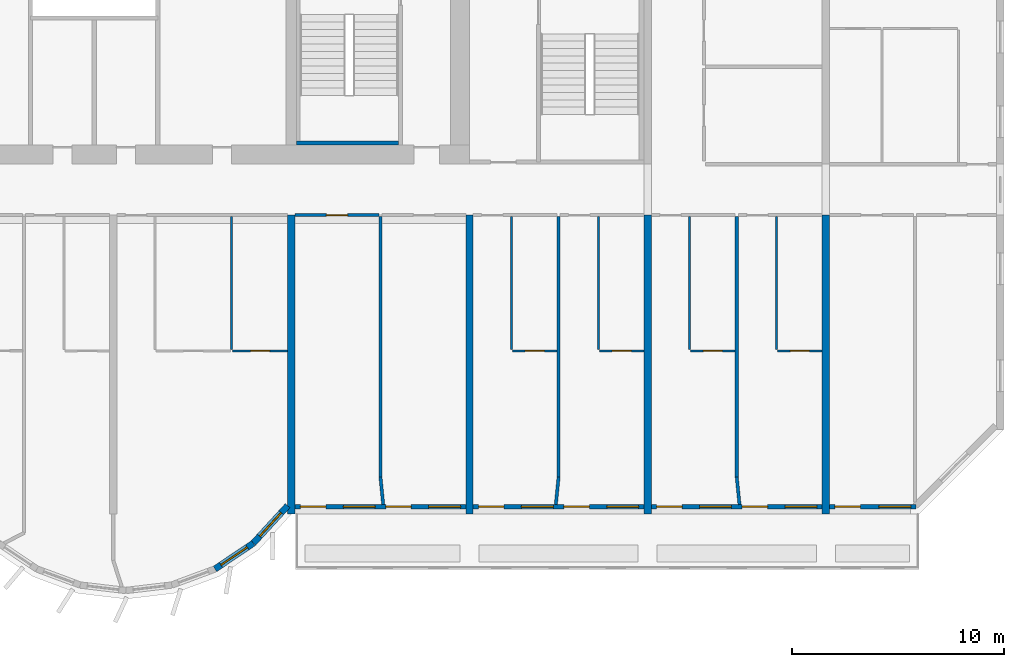
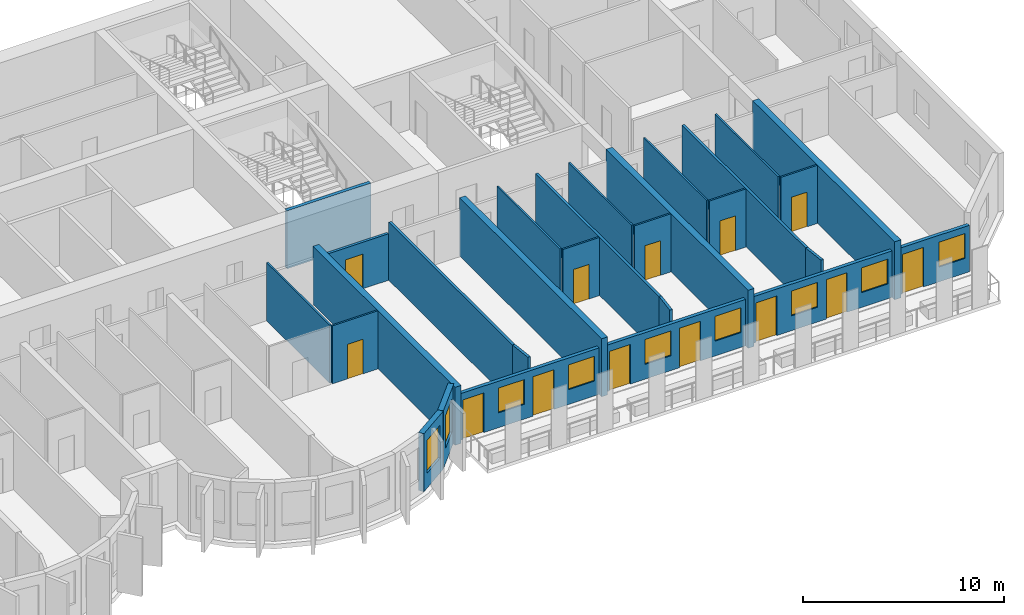
# One storey, part 8 of 14: 28 walls, 13 doors, 9 windows, 22 openings.
"""IFC4 building model written with IfcOpenShell, lengths in metres."""

import ifcopenshell
import ifcopenshell.guid

model = None  # the IFC model being written
_history = None  # IfcOwnerHistory: only IFC2X3 demands one
_inside = {}  # id of a spatial element -> (the spatial element, [elements in it])
_under = {}  # id of a project, library or spatial element -> (it, [spatial elements below it])
_declared = {}  # id of a project -> (the project, [libraries it declares])
_typed = {}  # id of a type object -> (the type object, [elements of that type])
_made_of = {}  # id of a material, layer set ... -> (it, [elements and type objects made of it])


def new_model(schema):
    """Start an empty IFC model of exactly this schema.

    Asked for "IFC4X3", IfcOpenShell would pick the latest addendum, in which some entities
    have other attributes; the version numbers below select the first issue.
    IFC2X3 requires an IfcOwnerHistory on every rooted entity: one is made here for all.
    """
    global model, _history
    if schema == "IFC4X3":
        model = ifcopenshell.file(schema_version=(4, 3, 0, 0))
    else:
        model = ifcopenshell.file(schema=schema)
    _inside.clear()
    _under.clear()
    _declared.clear()
    _typed.clear()
    _made_of.clear()
    _history = None
    if model.schema == "IFC2X3":
        org = make("IfcOrganization", Name="unknown")
        user = make(
            "IfcPersonAndOrganization",
            ThePerson=make("IfcPerson", FamilyName="unknown"),
            TheOrganization=org,
        )
        app = make(
            "IfcApplication",
            ApplicationDeveloper=org,
            Version="unknown",
            ApplicationFullName="unknown",
            ApplicationIdentifier="unknown",
        )
        _history = make(
            "IfcOwnerHistory",
            OwningUser=user,
            OwningApplication=app,
            ChangeAction="ADDED",
            CreationDate=0,
        )
    return model


def make(cls, **values):
    """One entity of the class cls with the attributes given. An attribute that is None is left unset."""
    return model.create_entity(
        cls, **{name: value for name, value in values.items() if value is not None}
    )


def rooted(cls, **values):
    """An entity with a GlobalId (a new one), such as an element, a storey or a relation."""
    return make(cls, GlobalId=ifcopenshell.guid.new(), OwnerHistory=_history, **values)


def si_unit(unit_type, name, prefix=None):
    """IfcSIUnit, for example si_unit("LENGTHUNIT", "METRE", prefix="MILLI")."""
    return make("IfcSIUnit", UnitType=unit_type, Prefix=prefix, Name=name)


def assignment(units):
    """IfcUnitAssignment: the units of a project."""
    return None if units is None else make("IfcUnitAssignment", Units=units)


def point(xyz):
    """IfcCartesianPoint."""
    return None if xyz is None else make("IfcCartesianPoint", Coordinates=xyz)


def direction(xyz):
    """IfcDirection."""
    return None if xyz is None else make("IfcDirection", DirectionRatios=xyz)


def frame(location, z_axis=None, x_axis=None):
    """IfcAxis2Placement3D, a coordinate frame: its origin and axes. An axis left out is left unset."""
    return make(
        "IfcAxis2Placement3D",
        Location=point(location),
        Axis=direction(z_axis),
        RefDirection=direction(x_axis),
    )


def frame_2d(location, x_axis=None):
    """IfcAxis2Placement2D, a coordinate frame in the plane: its origin and x axis."""
    return make(
        "IfcAxis2Placement2D", Location=point(location), RefDirection=direction(x_axis)
    )


def origin():
    """The frame at (0, 0, 0) with its axes left unset."""
    return frame((0.0, 0.0, 0.0))


def place(relative_to, where):
    """IfcLocalPlacement: puts the frame where relative to a parent placement (None: the world)."""
    return make(
        "IfcLocalPlacement", PlacementRelTo=relative_to, RelativePlacement=where
    )


def context(
    kind, dimensions, precision=None, world=None, true_north=None, identifier=None
):
    """IfcGeometricRepresentationContext, for example the 3D "Model" context."""
    return make(
        "IfcGeometricRepresentationContext",
        ContextIdentifier=identifier,
        ContextType=kind,
        CoordinateSpaceDimension=dimensions,
        Precision=precision,
        WorldCoordinateSystem=world,
        TrueNorth=true_north,
    )


def subcontext(parent, identifier, kind, view, scale=None):
    """IfcGeometricRepresentationSubContext, for example "Body" below "Model"."""
    return make(
        "IfcGeometricRepresentationSubContext",
        ContextIdentifier=identifier,
        ContextType=kind,
        ParentContext=parent,
        TargetScale=scale,
        TargetView=view,
    )


def project(units=None, contexts=None):
    """IfcProject with its units and contexts."""
    return rooted(
        "IfcProject",
        Name="project",
        RepresentationContexts=contexts,
        UnitsInContext=assignment(units),
    )


def spatial(cls, under=None, at=None, **own):
    """A site, building, storey or space (cls), placed at a placement, below another one or the project."""
    s = rooted(cls, ObjectPlacement=at, **own)
    if under is not None:
        _under.setdefault(under.id(), (under, []))[1].append(s)
    return s


def profile(cls, at=None, kind="AREA", **sizes):
    """A parametric profile (cls). Its sizes go by their IFC names, for example OverallWidth=200.0."""
    return make(cls, ProfileType=kind, Position=at, **sizes)


def rectangle(**sizes):
    """IfcRectangleProfileDef."""
    return profile("IfcRectangleProfileDef", **sizes)


def extrude(swept, where, along, depth):
    """IfcExtrudedAreaSolid: the profile swept, set in the frame where, extruded along a direction by depth."""
    return make(
        "IfcExtrudedAreaSolid",
        SweptArea=swept,
        Position=where,
        ExtrudedDirection=direction(along),
        Depth=depth,
    )


def shape(context_of_items, identifier, shape_type, items):
    """IfcShapeRepresentation: the items that make up one representation, for example the "Body"."""
    return make(
        "IfcShapeRepresentation",
        ContextOfItems=context_of_items,
        RepresentationIdentifier=identifier,
        RepresentationType=shape_type,
        Items=items,
    )


def source(mapping_origin, context_of_items, identifier, shape_type, items):
    """IfcRepresentationMap: a shape defined once, which mapped items show again and again."""
    return make(
        "IfcRepresentationMap",
        MappingOrigin=mapping_origin,
        MappedRepresentation=shape(context_of_items, identifier, shape_type, items),
    )


def transform(
    local_origin,
    x_axis=None,
    y_axis=None,
    z_axis=None,
    scale=None,
    scale2=None,
    scale3=None,
    uniform=True,
):
    """IfcCartesianTransformationOperator3D, or its non-uniform kind. x_axis, y_axis, z_axis: its Axis1, 2, 3."""
    if uniform:
        return make(
            "IfcCartesianTransformationOperator3D",
            Axis1=direction(x_axis),
            Axis2=direction(y_axis),
            LocalOrigin=point(local_origin),
            Scale=scale,
            Axis3=direction(z_axis),
        )
    return make(
        "IfcCartesianTransformationOperator3DnonUniform",
        Axis1=direction(x_axis),
        Axis2=direction(y_axis),
        LocalOrigin=point(local_origin),
        Scale=scale,
        Axis3=direction(z_axis),
        Scale2=scale2,
        Scale3=scale3,
    )


def mapped(mapping_source, mapping_target):
    """IfcMappedItem: shows the shape of a source again, moved by a transform."""
    return make(
        "IfcMappedItem", MappingSource=mapping_source, MappingTarget=mapping_target
    )


def material(Name=None, Category=None):
    """IfcMaterial."""
    return make("IfcMaterial", Name=Name, Category=Category)


def layer(
    of_material, thickness, ventilated=None, Name=None, Category=None, Priority=None
):
    """IfcMaterialLayer: one layer of a wall or slab, of a material (None: an air gap)."""
    return make(
        "IfcMaterialLayer",
        Material=of_material,
        LayerThickness=thickness,
        IsVentilated=ventilated,
        Name=Name,
        Category=Category,
        Priority=Priority,
    )


def layer_set(layers, Name=None):
    """IfcMaterialLayerSet."""
    return make("IfcMaterialLayerSet", MaterialLayers=layers, LayerSetName=Name)


def made_of(thing, what):
    """Note that an element or type object is made of a material, layer set ...; save() writes the relation."""
    if what is not None:
        _made_of.setdefault(what.id(), (what, []))[1].append(thing)
    return thing


def type_object(cls, material=None, **own):
    """A type object (cls), such as IfcWallType, which elements share."""
    return made_of(rooted(cls, **own), material)


def element(
    cls,
    number,
    at=None,
    inside=None,
    cuts=None,
    type_object=None,
    material=None,
    context=None,
    identifier="Body",
    shape_type=None,
    held_by="IfcProductDefinitionShape",
    body=None,
    shapes=None,
    **own,
):
    """One element of the class cls, such as IfcWall. Its Tag is "e" and its number.

    at: its placement. inside: the storey or other place that contains it. cuts: it is an
    opening in that element (IfcRelVoidsElement). A single representation is given by context,
    identifier, shape_type and body (its items); several are given by shapes. held_by: the class
    of the entity that holds the representations. save() writes the other relations.
    """
    e = rooted(cls, Tag="e%d" % number, ObjectPlacement=at, **own)
    if body is not None:
        shapes = [shape(context, identifier, shape_type, body)]
    if shapes is not None:
        e.Representation = make(held_by, Representations=shapes)
    if inside is not None:
        _inside.setdefault(inside.id(), (inside, []))[1].append(e)
    if cuts is not None:
        rooted(
            "IfcRelVoidsElement", RelatingBuildingElement=cuts, RelatedOpeningElement=e
        )
    if type_object is not None:
        _typed.setdefault(type_object.id(), (type_object, []))[1].append(e)
    return made_of(e, material)


def fill(opening, filler):
    """IfcRelFillsElement: the door or window that sits in an opening."""
    return rooted(
        "IfcRelFillsElement",
        RelatingOpeningElement=opening,
        RelatedBuildingElement=filler,
    )


def aggregate(whole, parts):
    """IfcRelAggregates: a whole, such as a stair, and the parts it consists of."""
    return rooted("IfcRelAggregates", RelatingObject=whole, RelatedObjects=parts)


def save(model, path):
    """Write the relations noted so far, then the file.

    IfcRelAggregates (storeys below a building ...), IfcRelContainedInSpatialStructure (elements
    in a storey), IfcRelDefinesByType, IfcRelAssociatesMaterial and IfcRelDeclares: one each for
    every whole, place, type object, material and project.
    """
    for whole, parts in _under.values():
        aggregate(whole, parts)
    for where, things in _inside.values():
        rooted(
            "IfcRelContainedInSpatialStructure",
            RelatedElements=things,
            RelatingStructure=where,
        )
    for kind, things in _typed.values():
        rooted("IfcRelDefinesByType", RelatedObjects=things, RelatingType=kind)
    for what, things in _made_of.values():
        rooted("IfcRelAssociatesMaterial", RelatedObjects=things, RelatingMaterial=what)
    for by, libraries in _declared.values():
        rooted("IfcRelDeclares", RelatingContext=by, RelatedDefinitions=libraries)
    model.write(path)


model = new_model("IFC4")

# Units and contexts
model_context = context("Model", 3, precision=1e-05, world=origin(), true_north=direction((0.0, 1.0)))
body_context = subcontext(model_context, "Body", "Model", "MODEL_VIEW")
ifc_project = project(units=[si_unit("LENGTHUNIT", "METRE"), si_unit("AREAUNIT", "SQUARE_METRE"), si_unit("VOLUMEUNIT", "CUBIC_METRE"), si_unit("PLANEANGLEUNIT", "RADIAN"), si_unit("MASSUNIT", "GRAM", prefix="KILO")], contexts=[model_context])

# Site, building, storey
site_placement = place(None, origin())
site = spatial("IfcSite", under=ifc_project, at=site_placement, CompositionType="ELEMENT")
building_placement = place(site_placement, origin())
building = spatial("IfcBuilding", under=site, at=building_placement, Name="Vanashikhar Sky Hotel", CompositionType="ELEMENT")
storey_placement = place(building_placement, frame((0.0, 0.0, 125.60009765625)))
storey = spatial("IfcBuildingStorey", under=building, at=storey_placement, Name="L30", CompositionType="ELEMENT", Elevation=125.60009765625)

# Walls
ifc_material_1 = material(Name="Concrete M70", Category="concrete")
ifc_layer_1 = layer(ifc_material_1, 0.35009765625)
ifc_layer_set_1 = layer_set([ifc_layer_1], Name="RC shear wall 350 Concrete M70")
wall_type_1 = type_object("IfcWallType", Name="RC shear wall 350 Concrete M70", PredefinedType="SHEAR", material=ifc_layer_set_1)
shared_shape_1 = source(origin(), body_context, "Body", "SweptSolid", [
    extrude(rectangle(XDim=14.10009765625, YDim=0.35009765625, at=frame_2d((7.050048828125, 0.0))), origin(), (0.0, 0.0, 1.0), 3.52001953125),
])
for number, where, z_axis, x_axis, name in (
    (1, (67.199951171875, 5.5, 0.0), (0.0, 0.0, 1.0), (0.0, 1.0, 0.0), "CW-L30-XW09-1"),
    (2, (75.60009765625, 5.5, 0.0), (0.0, 0.0, 1.0), (0.0, 1.0, 0.0), "CW-L30-XW10-1"),
    (3, (84.0, 5.5, 0.0), (0.0, 0.0, 1.0), (0.0, 1.0, 0.0), "CW-L30-XW11-1"),
    (4, (92.39990234375, 5.5, 0.0), (0.0, 0.0, 1.0), (0.0, 1.0, 0.0), "CW-L30-XW12-1"),
):
    element("IfcWall", number, at=place(storey_placement, frame(where, z_axis=z_axis, x_axis=x_axis)), inside=storey, type_object=wall_type_1, Name=name, PredefinedType="SHEAR", context=body_context, shape_type="MappedRepresentation", body=[
        mapped(shared_shape_1, transform((0.0, 0.0, 0.0), scale=1.0)),
    ])

# Wall, opening, window
ifc_material_2 = material(Name="Concrete M50", Category="concrete")
ifc_layer_2 = layer(ifc_material_2, 0.300048828125)
ifc_layer_set_2 = layer_set([ifc_layer_2], Name="Lobe wall 300")
wall_type_2 = type_object("IfcWallType", Name="Lobe wall 300", PredefinedType="SOLIDWALL", material=ifc_layer_set_2)
shared_shape_2 = source(origin(), body_context, "Body", "SweptSolid", [
    extrude(rectangle(XDim=2.398193359375, YDim=0.300048828125, at=frame_2d((1.19921875, 0.0))), origin(), (0.0, 0.0, 1.0), 3.52001953125),
])
wall_1_placement = place(storey_placement, frame((65.404296875, 4.13134765625, 0.0), z_axis=(0.0, 0.0, 1.0), x_axis=(0.675374189419, 0.737475222815, 0.0)))
wall_1 = element("IfcWall", 5, at=wall_1_placement, inside=storey, type_object=wall_type_2, Name="Lobe wall", PredefinedType="SOLIDWALL", context=body_context, shape_type="MappedRepresentation", body=[
    mapped(shared_shape_2, transform((0.0, 0.0, 0.0), scale=1.0)),
])
shared_shape_3 = source(origin(), body_context, "Body", "SweptSolid", [
    extrude(rectangle(XDim=1.5, YDim=2.0, at=frame_2d((0.75, 1.0))), frame((0.0, 0.16015625, 0.0), z_axis=(0.0, -1.0, 0.0), x_axis=(1.0, 0.0, 0.0)), (0.0, 0.0, 1.0), 0.320068359375),
])
opening_1_placement = place(wall_1_placement, frame((0.44921875, 0.0, 0.89990234375)))
opening_1 = element("IfcOpeningElement", 6, at=opening_1_placement, cuts=wall_1, Name="Opening WN-2", PredefinedType="OPENING", context=body_context, shape_type="MappedRepresentation", body=[
    mapped(shared_shape_3, transform((0.0, 0.0, 0.0), scale=1.0)),
])
ifc_material_3 = material(Name="Glass", Category="glass")
window_type_1 = type_object("IfcWindowType", Name="Lobe window 1500 x 2000", PartitioningType="SINGLE_PANEL", PredefinedType="WINDOW", material=ifc_material_3)
shared_shape_4 = source(origin(), body_context, "Body", "SweptSolid", [
    extrude(rectangle(XDim=1.5, YDim=2.0, at=frame_2d((0.75, 1.0))), frame((0.0, 0.030029296875, 0.0), z_axis=(0.0, -1.0, 0.0), x_axis=(1.0, 0.0, 0.0)), (0.0, 0.0, 1.0), 0.06005859375),
])
window_1_placement = place(opening_1_placement, origin())
window_1 = element("IfcWindow", 7, at=window_1_placement, inside=storey, type_object=window_type_1, Name="Window WN-2", OverallHeight=2.0, OverallWidth=1.5, PartitioningType="SINGLE_PANEL", PredefinedType="WINDOW", context=body_context, shape_type="MappedRepresentation", body=[
    mapped(shared_shape_4, transform((0.0, 0.0, 0.0), scale=1.0)),
])
fill(opening_1, window_1)

shared_shape_5 = source(origin(), body_context, "Body", "SweptSolid", [
    extrude(rectangle(XDim=2.17578125, YDim=0.300048828125, at=frame_2d((1.087890625, 0.0))), origin(), (0.0, 0.0, 1.0), 3.52001953125),
])
wall_2_placement = place(storey_placement, frame((63.59912109375, 2.91650390625, 0.0), z_axis=(0.0, 0.0, 1.0), x_axis=(0.829625727223, 0.558319937607, 0.0)))
wall_2 = element("IfcWall", 8, at=wall_2_placement, inside=storey, type_object=wall_type_2, Name="Lobe wall", PredefinedType="SOLIDWALL", context=body_context, shape_type="MappedRepresentation", body=[
    mapped(shared_shape_5, transform((0.0, 0.0, 0.0), scale=1.0)),
])
opening_2_placement = place(wall_2_placement, frame((0.337890625, 0.0, 0.89990234375)))
opening_2 = element("IfcOpeningElement", 9, at=opening_2_placement, cuts=wall_2, Name="Opening WN-2", PredefinedType="OPENING", context=body_context, shape_type="MappedRepresentation", body=[
    mapped(shared_shape_3, transform((0.0, 0.0, 0.0), scale=1.0)),
])
window_2_placement = place(opening_2_placement, origin())
window_2 = element("IfcWindow", 10, at=window_2_placement, inside=storey, type_object=window_type_1, Name="Window WN-2", OverallHeight=2.0, OverallWidth=1.5, PartitioningType="SINGLE_PANEL", PredefinedType="WINDOW", context=body_context, shape_type="MappedRepresentation", body=[
    mapped(shared_shape_4, transform((0.0, 0.0, 0.0), scale=1.0)),
])
fill(opening_2, window_2)

# Wall, openings, window, door
ifc_layer_3 = layer(ifc_material_2, 0.199951171875)
ifc_layer_set_3 = layer_set([ifc_layer_3], Name="Front window wall 200")
wall_type_3 = type_object("IfcWallType", Name="Front window wall 200", PredefinedType="SOLIDWALL", material=ifc_layer_set_3)
shared_shape_6 = source(origin(), body_context, "Body", "SweptSolid", [
    extrude(rectangle(XDim=4.080078125, YDim=0.199951171875, at=frame_2d((2.0400390625, 0.0))), origin(), (0.0, 0.0, 1.0), 2.81982421875),
])
wall_3_placement = place(storey_placement, frame((92.574951171875, 5.85009765625, 0.0), z_axis=(0.0, 0.0, 1.0), x_axis=(1.0, 0.0, 0.0)))
wall_3 = element("IfcWall", 11, at=wall_3_placement, inside=storey, type_object=wall_type_3, Name="Front window wall", PredefinedType="SOLIDWALL", context=body_context, shape_type="MappedRepresentation", body=[
    mapped(shared_shape_6, transform((0.0, 0.0, 0.0), scale=1.0)),
])
shared_shape_7 = source(origin(), body_context, "Body", "SweptSolid", [
    extrude(rectangle(XDim=1.199951171875, YDim=2.39990234375, at=frame_2d((0.60009765625, 1.199951171875))), frame((0.0, 0.10986328125, 0.0), z_axis=(0.0, -1.0, 0.0), x_axis=(1.0, 0.0, 0.0)), (0.0, 0.0, 1.0), 0.219970703125),
])
opening_3_placement = place(wall_3_placement, frame((0.25, 0.0, 0.0)))
opening_3 = element("IfcOpeningElement", 12, at=opening_3_placement, cuts=wall_3, Name="Opening BD-14", PredefinedType="OPENING", context=body_context, shape_type="MappedRepresentation", body=[
    mapped(shared_shape_7, transform((0.0, 0.0, 0.0), scale=1.0)),
])
shared_shape_8 = source(origin(), body_context, "Body", "SweptSolid", [
    extrude(rectangle(XDim=1.5, YDim=1.5, at=frame_2d((0.75, 0.75))), frame((0.0, 0.10986328125, 0.0), z_axis=(0.0, -1.0, 0.0), x_axis=(1.0, 0.0, 0.0)), (0.0, 0.0, 1.0), 0.219970703125),
])
opening_4_placement = place(wall_3_placement, frame((2.330078125, 0.0, 0.89990234375)))
opening_4 = element("IfcOpeningElement", 13, at=opening_4_placement, cuts=wall_3, Name="Opening WN-1", PredefinedType="OPENING", context=body_context, shape_type="MappedRepresentation", body=[
    mapped(shared_shape_8, transform((0.0, 0.0, 0.0), scale=1.0)),
])
window_type_2 = type_object("IfcWindowType", Name="Window 1500 x 1500", PartitioningType="SINGLE_PANEL", PredefinedType="WINDOW", material=ifc_material_3)
shared_shape_9 = source(origin(), body_context, "Body", "SweptSolid", [
    extrude(rectangle(XDim=1.5, YDim=1.5, at=frame_2d((0.75, 0.75))), frame((0.0, 0.030029296875, 0.0), z_axis=(0.0, -1.0, 0.0), x_axis=(1.0, 0.0, 0.0)), (0.0, 0.0, 1.0), 0.06005859375),
])
window_3_placement = place(opening_4_placement, origin())
window_3 = element("IfcWindow", 14, at=window_3_placement, inside=storey, type_object=window_type_2, Name="Window WN-1", OverallHeight=1.5, OverallWidth=1.5, PartitioningType="SINGLE_PANEL", PredefinedType="WINDOW", context=body_context, shape_type="MappedRepresentation", body=[
    mapped(shared_shape_9, transform((0.0, 0.0, 0.0), scale=1.0)),
])
fill(opening_4, window_3)
ifc_material_4 = material(Name="Aluminium", Category="aluminium")
door_type_1 = type_object("IfcDoorType", Name="Balcony sliding door 1200 x 2400", OperationType="NOTDEFINED", PredefinedType="DOOR", material=ifc_material_4)
shared_shape_10 = source(origin(), body_context, "Body", "SweptSolid", [
    extrude(rectangle(XDim=1.199951171875, YDim=2.39990234375, at=frame_2d((0.60009765625, 1.199951171875))), frame((0.0, 0.02490234375, 0.0), z_axis=(0.0, -1.0, 0.0), x_axis=(1.0, 0.0, 0.0)), (0.0, 0.0, 1.0), 0.050048828125),
])
door_1_placement = place(opening_3_placement, origin())
door_1 = element("IfcDoor", 15, at=door_1_placement, inside=storey, type_object=door_type_1, Name="Balcony sliding door", OperationType="SLIDING_TO_RIGHT", OverallHeight=2.39990234375, OverallWidth=1.199951171875, PredefinedType="DOOR", context=body_context, shape_type="MappedRepresentation", body=[
    mapped(shared_shape_10, transform((0.0, 0.0, 0.0), scale=1.0)),
])
fill(opening_3, door_1)

# Wall, openings, windows, doors
shared_shape_11 = source(origin(), body_context, "Body", "SweptSolid", [
    extrude(rectangle(XDim=8.050048828125, YDim=0.199951171875, at=frame_2d((4.02490234375, 0.0))), origin(), (0.0, 0.0, 1.0), 2.81982421875),
])
wall_4_placement = place(storey_placement, frame((67.375, 5.85009765625, 0.0), z_axis=(0.0, 0.0, 1.0), x_axis=(1.0, 0.0, 0.0)))
wall_4 = element("IfcWall", 16, at=wall_4_placement, inside=storey, type_object=wall_type_3, Name="Front window wall", PredefinedType="SOLIDWALL", context=body_context, shape_type="MappedRepresentation", body=[
    mapped(shared_shape_11, transform((0.0, 0.0, 0.0), scale=1.0)),
])
opening_5_placement = place(wall_4_placement, frame((0.25, 0.0, 0.0)))
opening_5 = element("IfcOpeningElement", 17, at=opening_5_placement, cuts=wall_4, Name="Opening BD-08", PredefinedType="OPENING", context=body_context, shape_type="MappedRepresentation", body=[
    mapped(shared_shape_7, transform((0.0, 0.0, 0.0), scale=1.0)),
])
opening_6_placement = place(wall_4_placement, frame((2.27490234375, 0.0, 0.89990234375)))
opening_6 = element("IfcOpeningElement", 18, at=opening_6_placement, cuts=wall_4, Name="Opening WN-1", PredefinedType="OPENING", context=body_context, shape_type="MappedRepresentation", body=[
    mapped(shared_shape_8, transform((0.0, 0.0, 0.0), scale=1.0)),
])
opening_7_placement = place(wall_4_placement, frame((4.27490234375, 0.0, 0.0)))
opening_7 = element("IfcOpeningElement", 19, at=opening_7_placement, cuts=wall_4, Name="Opening BD-09", PredefinedType="OPENING", context=body_context, shape_type="MappedRepresentation", body=[
    mapped(shared_shape_7, transform((0.0, 0.0, 0.0), scale=1.0)),
])
opening_8_placement = place(wall_4_placement, frame((6.300048828125, 0.0, 0.89990234375)))
opening_8 = element("IfcOpeningElement", 20, at=opening_8_placement, cuts=wall_4, Name="Opening WN-1", PredefinedType="OPENING", context=body_context, shape_type="MappedRepresentation", body=[
    mapped(shared_shape_8, transform((0.0, 0.0, 0.0), scale=1.0)),
])
window_4_placement = place(opening_6_placement, origin())
window_4 = element("IfcWindow", 21, at=window_4_placement, inside=storey, type_object=window_type_2, Name="Window WN-1", OverallHeight=1.5, OverallWidth=1.5, PartitioningType="SINGLE_PANEL", PredefinedType="WINDOW", context=body_context, shape_type="MappedRepresentation", body=[
    mapped(shared_shape_9, transform((0.0, 0.0, 0.0), scale=1.0)),
])
fill(opening_6, window_4)
window_5_placement = place(opening_8_placement, origin())
window_5 = element("IfcWindow", 22, at=window_5_placement, inside=storey, type_object=window_type_2, Name="Window WN-1", OverallHeight=1.5, OverallWidth=1.5, PartitioningType="SINGLE_PANEL", PredefinedType="WINDOW", context=body_context, shape_type="MappedRepresentation", body=[
    mapped(shared_shape_9, transform((0.0, 0.0, 0.0), scale=1.0)),
])
fill(opening_8, window_5)
door_2_placement = place(opening_5_placement, origin())
door_2 = element("IfcDoor", 23, at=door_2_placement, inside=storey, type_object=door_type_1, Name="Balcony sliding door", OperationType="SLIDING_TO_RIGHT", OverallHeight=2.39990234375, OverallWidth=1.199951171875, PredefinedType="DOOR", context=body_context, shape_type="MappedRepresentation", body=[
    mapped(shared_shape_10, transform((0.0, 0.0, 0.0), scale=1.0)),
])
fill(opening_5, door_2)
door_3_placement = place(opening_7_placement, origin())
door_3 = element("IfcDoor", 24, at=door_3_placement, inside=storey, type_object=door_type_1, Name="Balcony sliding door", OperationType="SLIDING_TO_LEFT", OverallHeight=2.39990234375, OverallWidth=1.199951171875, PredefinedType="DOOR", context=body_context, shape_type="MappedRepresentation", body=[
    mapped(shared_shape_10, transform((0.0, 0.0, 0.0), scale=1.0)),
])
fill(opening_7, door_3)

wall_5_placement = place(storey_placement, frame((75.77490234375, 5.85009765625, 0.0), z_axis=(0.0, 0.0, 1.0), x_axis=(1.0, 0.0, 0.0)))
wall_5 = element("IfcWall", 25, at=wall_5_placement, inside=storey, type_object=wall_type_3, Name="Front window wall", PredefinedType="SOLIDWALL", context=body_context, shape_type="MappedRepresentation", body=[
    mapped(shared_shape_11, transform((0.0, 0.0, 0.0), scale=1.0)),
])
opening_9_placement = place(wall_5_placement, frame((0.25, 0.0, 0.0)))
opening_9 = element("IfcOpeningElement", 26, at=opening_9_placement, cuts=wall_5, Name="Opening BD-10", PredefinedType="OPENING", context=body_context, shape_type="MappedRepresentation", body=[
    mapped(shared_shape_7, transform((0.0, 0.0, 0.0), scale=1.0)),
])
opening_10_placement = place(wall_5_placement, frame((2.27490234375, 0.0, 0.89990234375)))
opening_10 = element("IfcOpeningElement", 27, at=opening_10_placement, cuts=wall_5, Name="Opening WN-1", PredefinedType="OPENING", context=body_context, shape_type="MappedRepresentation", body=[
    mapped(shared_shape_8, transform((0.0, 0.0, 0.0), scale=1.0)),
])
opening_11_placement = place(wall_5_placement, frame((4.27490234375, 0.0, 0.0)))
opening_11 = element("IfcOpeningElement", 28, at=opening_11_placement, cuts=wall_5, Name="Opening BD-11", PredefinedType="OPENING", context=body_context, shape_type="MappedRepresentation", body=[
    mapped(shared_shape_7, transform((0.0, 0.0, 0.0), scale=1.0)),
])
opening_12_placement = place(wall_5_placement, frame((6.300048828125, 0.0, 0.89990234375)))
opening_12 = element("IfcOpeningElement", 29, at=opening_12_placement, cuts=wall_5, Name="Opening WN-1", PredefinedType="OPENING", context=body_context, shape_type="MappedRepresentation", body=[
    mapped(shared_shape_8, transform((0.0, 0.0, 0.0), scale=1.0)),
])
window_6_placement = place(opening_10_placement, origin())
window_6 = element("IfcWindow", 30, at=window_6_placement, inside=storey, type_object=window_type_2, Name="Window WN-1", OverallHeight=1.5, OverallWidth=1.5, PartitioningType="SINGLE_PANEL", PredefinedType="WINDOW", context=body_context, shape_type="MappedRepresentation", body=[
    mapped(shared_shape_9, transform((0.0, 0.0, 0.0), scale=1.0)),
])
fill(opening_10, window_6)
window_7_placement = place(opening_12_placement, origin())
window_7 = element("IfcWindow", 31, at=window_7_placement, inside=storey, type_object=window_type_2, Name="Window WN-1", OverallHeight=1.5, OverallWidth=1.5, PartitioningType="SINGLE_PANEL", PredefinedType="WINDOW", context=body_context, shape_type="MappedRepresentation", body=[
    mapped(shared_shape_9, transform((0.0, 0.0, 0.0), scale=1.0)),
])
fill(opening_12, window_7)
door_4_placement = place(opening_9_placement, origin())
door_4 = element("IfcDoor", 32, at=door_4_placement, inside=storey, type_object=door_type_1, Name="Balcony sliding door", OperationType="SLIDING_TO_RIGHT", OverallHeight=2.39990234375, OverallWidth=1.199951171875, PredefinedType="DOOR", context=body_context, shape_type="MappedRepresentation", body=[
    mapped(shared_shape_10, transform((0.0, 0.0, 0.0), scale=1.0)),
])
fill(opening_9, door_4)
door_5_placement = place(opening_11_placement, origin())
door_5 = element("IfcDoor", 33, at=door_5_placement, inside=storey, type_object=door_type_1, Name="Balcony sliding door", OperationType="SLIDING_TO_LEFT", OverallHeight=2.39990234375, OverallWidth=1.199951171875, PredefinedType="DOOR", context=body_context, shape_type="MappedRepresentation", body=[
    mapped(shared_shape_10, transform((0.0, 0.0, 0.0), scale=1.0)),
])
fill(opening_11, door_5)

wall_6_placement = place(storey_placement, frame((84.175048828125, 5.85009765625, 0.0), z_axis=(0.0, 0.0, 1.0), x_axis=(1.0, 0.0, 0.0)))
wall_6 = element("IfcWall", 34, at=wall_6_placement, inside=storey, type_object=wall_type_3, Name="Front window wall", PredefinedType="SOLIDWALL", context=body_context, shape_type="MappedRepresentation", body=[
    mapped(shared_shape_11, transform((0.0, 0.0, 0.0), scale=1.0)),
])
opening_13_placement = place(wall_6_placement, frame((0.25, 0.0, 0.0)))
opening_13 = element("IfcOpeningElement", 35, at=opening_13_placement, cuts=wall_6, Name="Opening BD-12", PredefinedType="OPENING", context=body_context, shape_type="MappedRepresentation", body=[
    mapped(shared_shape_7, transform((0.0, 0.0, 0.0), scale=1.0)),
])
opening_14_placement = place(wall_6_placement, frame((2.27490234375, 0.0, 0.89990234375)))
opening_14 = element("IfcOpeningElement", 36, at=opening_14_placement, cuts=wall_6, Name="Opening WN-1", PredefinedType="OPENING", context=body_context, shape_type="MappedRepresentation", body=[
    mapped(shared_shape_8, transform((0.0, 0.0, 0.0), scale=1.0)),
])
opening_15_placement = place(wall_6_placement, frame((4.27490234375, 0.0, 0.0)))
opening_15 = element("IfcOpeningElement", 37, at=opening_15_placement, cuts=wall_6, Name="Opening BD-13", PredefinedType="OPENING", context=body_context, shape_type="MappedRepresentation", body=[
    mapped(shared_shape_7, transform((0.0, 0.0, 0.0), scale=1.0)),
])
opening_16_placement = place(wall_6_placement, frame((6.300048828125, 0.0, 0.89990234375)))
opening_16 = element("IfcOpeningElement", 38, at=opening_16_placement, cuts=wall_6, Name="Opening WN-1", PredefinedType="OPENING", context=body_context, shape_type="MappedRepresentation", body=[
    mapped(shared_shape_8, transform((0.0, 0.0, 0.0), scale=1.0)),
])
window_8_placement = place(opening_14_placement, origin())
window_8 = element("IfcWindow", 39, at=window_8_placement, inside=storey, type_object=window_type_2, Name="Window WN-1", OverallHeight=1.5, OverallWidth=1.5, PartitioningType="SINGLE_PANEL", PredefinedType="WINDOW", context=body_context, shape_type="MappedRepresentation", body=[
    mapped(shared_shape_9, transform((0.0, 0.0, 0.0), scale=1.0)),
])
fill(opening_14, window_8)
window_9_placement = place(opening_16_placement, origin())
window_9 = element("IfcWindow", 40, at=window_9_placement, inside=storey, type_object=window_type_2, Name="Window WN-1", OverallHeight=1.5, OverallWidth=1.5, PartitioningType="SINGLE_PANEL", PredefinedType="WINDOW", context=body_context, shape_type="MappedRepresentation", body=[
    mapped(shared_shape_9, transform((0.0, 0.0, 0.0), scale=1.0)),
])
fill(opening_16, window_9)
door_6_placement = place(opening_13_placement, origin())
door_6 = element("IfcDoor", 41, at=door_6_placement, inside=storey, type_object=door_type_1, Name="Balcony sliding door", OperationType="SLIDING_TO_RIGHT", OverallHeight=2.39990234375, OverallWidth=1.199951171875, PredefinedType="DOOR", context=body_context, shape_type="MappedRepresentation", body=[
    mapped(shared_shape_10, transform((0.0, 0.0, 0.0), scale=1.0)),
])
fill(opening_13, door_6)
door_7_placement = place(opening_15_placement, origin())
door_7 = element("IfcDoor", 42, at=door_7_placement, inside=storey, type_object=door_type_1, Name="Balcony sliding door", OperationType="SLIDING_TO_LEFT", OverallHeight=2.39990234375, OverallWidth=1.199951171875, PredefinedType="DOOR", context=body_context, shape_type="MappedRepresentation", body=[
    mapped(shared_shape_10, transform((0.0, 0.0, 0.0), scale=1.0)),
])
fill(opening_15, door_7)

# Walls
ifc_layer_4 = layer(ifc_material_2, 0.199951171875)
ifc_layer_set_4 = layer_set([ifc_layer_4], Name="Stair infill wall 200")
wall_type_4 = type_object("IfcWallType", Name="Stair infill wall 200", PredefinedType="SOLIDWALL", material=ifc_layer_set_4)
shared_shape_12 = source(origin(), body_context, "Body", "SweptSolid", [
    extrude(rectangle(XDim=4.800048828125, YDim=0.199951171875, at=frame_2d((2.39990234375, 0.0))), origin(), (0.0, 0.0, 1.0), 3.52001953125),
])
wall_7_placement = place(storey_placement, frame((67.449951171875, 23.0, 0.0), z_axis=(0.0, 0.0, 1.0), x_axis=(1.0, 0.0, 0.0)))
element("IfcWall", 43, at=wall_7_placement, inside=storey, type_object=wall_type_4, Name="Stair infill wall 200", PredefinedType="SOLIDWALL", context=body_context, shape_type="MappedRepresentation", body=[
    mapped(shared_shape_12, transform((0.0, 0.0, 0.0), scale=1.0)),
])
ifc_material_5 = material(Name="Gypsum plasterboard partition")
ifc_layer_5 = layer(ifc_material_5, 0.10009765625)
ifc_layer_set_5 = layer_set([ifc_layer_5], Name="Wet room partition 100")
wall_type_5 = type_object("IfcWallType", Name="Wet room partition 100", PredefinedType="PARTITIONING", material=ifc_layer_set_5)
shared_shape_13 = source(origin(), body_context, "Body", "SweptSolid", [
    extrude(rectangle(XDim=6.25, YDim=0.10009765625, at=frame_2d((3.125, 0.0))), origin(), (0.0, 0.0, 1.0), 3.52001953125),
])
for number, where, z_axis, x_axis, name in (
    (44, (64.375, 13.27490234375, 0.0), (0.0, 0.0, 1.0), (0.0, 1.0, 0.0), "W-L30-PW045"),
    (45, (77.574951171875, 13.27490234375, 0.0), (0.0, 0.0, 1.0), (0.0, 1.0, 0.0), "W-L30-PW052"),
    (46, (81.675048828125, 13.27490234375, 0.0), (0.0, 0.0, 1.0), (0.0, 1.0, 0.0), "W-L30-PW055"),
    (47, (85.97509765625, 13.27490234375, 0.0), (0.0, 0.0, 1.0), (0.0, 1.0, 0.0), "W-L30-PW059"),
    (48, (90.074951171875, 13.27490234375, 0.0), (0.0, 0.0, 1.0), (0.0, 1.0, 0.0), "W-L30-PW062"),
):
    element("IfcWall", number, at=place(storey_placement, frame(where, z_axis=z_axis, x_axis=x_axis)), inside=storey, type_object=wall_type_5, Name=name, PredefinedType="PARTITIONING", context=body_context, shape_type="MappedRepresentation", body=[
        mapped(shared_shape_13, transform((0.0, 0.0, 0.0), scale=1.0)),
    ])

# Wall, opening, door
shared_shape_14 = source(origin(), body_context, "Body", "SweptSolid", [
    extrude(rectangle(XDim=2.10009765625, YDim=0.10009765625, at=frame_2d((1.050048828125, 0.0))), origin(), (0.0, 0.0, 1.0), 3.52001953125),
])
wall_8_placement = place(storey_placement, frame((77.625, 13.199951171875, 0.0), z_axis=(0.0, 0.0, 1.0), x_axis=(1.0, 0.0, 0.0)))
wall_8 = element("IfcWall", 49, at=wall_8_placement, inside=storey, type_object=wall_type_5, Name="W-L30-PW053", PredefinedType="PARTITIONING", context=body_context, shape_type="MappedRepresentation", body=[
    mapped(shared_shape_14, transform((0.0, 0.0, 0.0), scale=1.0)),
])
shared_shape_15 = source(origin(), body_context, "Body", "SweptSolid", [
    extrude(rectangle(XDim=0.89990234375, YDim=2.10009765625, at=frame_2d((0.449951171875, 1.050048828125))), frame((0.0, 0.06005859375, 0.0), z_axis=(0.0, -1.0, 0.0), x_axis=(1.0, 0.0, 0.0)), (0.0, 0.0, 1.0), 0.1201171875),
])
opening_17_placement = place(wall_8_placement, frame((0.60009765625, 0.0, 0.0)))
opening_17 = element("IfcOpeningElement", 50, at=opening_17_placement, cuts=wall_8, Name="Opening D-02", PredefinedType="OPENING", context=body_context, shape_type="MappedRepresentation", body=[
    mapped(shared_shape_15, transform((0.0, 0.0, 0.0), scale=1.0)),
])
ifc_material_6 = material(Name="Timber door", Category="wood")
door_type_2 = type_object("IfcDoorType", Name="Internal door 900", OperationType="NOTDEFINED", PredefinedType="DOOR", material=ifc_material_6)
shared_shape_16 = source(origin(), body_context, "Body", "SweptSolid", [
    extrude(rectangle(XDim=0.89990234375, YDim=2.10009765625, at=frame_2d((0.449951171875, 1.050048828125))), frame((0.0, 0.02490234375, 0.0), z_axis=(0.0, -1.0, 0.0), x_axis=(1.0, 0.0, 0.0)), (0.0, 0.0, 1.0), 0.050048828125),
])
door_8_placement = place(opening_17_placement, origin())
door_8 = element("IfcDoor", 51, at=door_8_placement, inside=storey, type_object=door_type_2, Name="D-L30-031", OperationType="SINGLE_SWING_LEFT", OverallHeight=2.10009765625, OverallWidth=0.89990234375, PredefinedType="DOOR", context=body_context, shape_type="MappedRepresentation", body=[
    mapped(shared_shape_16, transform((0.0, 0.0, 0.0), scale=1.0)),
])
fill(opening_17, door_8)

wall_9_placement = place(storey_placement, frame((86.02490234375, 13.199951171875, 0.0), z_axis=(0.0, 0.0, 1.0), x_axis=(1.0, 0.0, 0.0)))
wall_9 = element("IfcWall", 52, at=wall_9_placement, inside=storey, type_object=wall_type_5, Name="W-L30-PW060", PredefinedType="PARTITIONING", context=body_context, shape_type="MappedRepresentation", body=[
    mapped(shared_shape_14, transform((0.0, 0.0, 0.0), scale=1.0)),
])
opening_18_placement = place(wall_9_placement, frame((0.60009765625, 0.0, 0.0)))
opening_18 = element("IfcOpeningElement", 53, at=opening_18_placement, cuts=wall_9, Name="Opening D-02", PredefinedType="OPENING", context=body_context, shape_type="MappedRepresentation", body=[
    mapped(shared_shape_15, transform((0.0, 0.0, 0.0), scale=1.0)),
])
door_9_placement = place(opening_18_placement, origin())
door_9 = element("IfcDoor", 54, at=door_9_placement, inside=storey, type_object=door_type_2, Name="D-L30-035", OperationType="SINGLE_SWING_LEFT", OverallHeight=2.10009765625, OverallWidth=0.89990234375, PredefinedType="DOOR", context=body_context, shape_type="MappedRepresentation", body=[
    mapped(shared_shape_16, transform((0.0, 0.0, 0.0), scale=1.0)),
])
fill(opening_18, door_9)

wall_10_placement = place(storey_placement, frame((90.125, 13.199951171875, 0.0), z_axis=(0.0, 0.0, 1.0), x_axis=(1.0, 0.0, 0.0)))
wall_10 = element("IfcWall", 55, at=wall_10_placement, inside=storey, type_object=wall_type_5, Name="W-L30-PW063", PredefinedType="PARTITIONING", context=body_context, shape_type="MappedRepresentation", body=[
    mapped(shared_shape_14, transform((0.0, 0.0, 0.0), scale=1.0)),
])
opening_19_placement = place(wall_10_placement, frame((0.60009765625, 0.0, 0.0)))
opening_19 = element("IfcOpeningElement", 56, at=opening_19_placement, cuts=wall_10, Name="Opening D-02", PredefinedType="OPENING", context=body_context, shape_type="MappedRepresentation", body=[
    mapped(shared_shape_15, transform((0.0, 0.0, 0.0), scale=1.0)),
])
door_10_placement = place(opening_19_placement, origin())
door_10 = element("IfcDoor", 57, at=door_10_placement, inside=storey, type_object=door_type_2, Name="D-L30-037", OperationType="SINGLE_SWING_LEFT", OverallHeight=2.10009765625, OverallWidth=0.89990234375, PredefinedType="DOOR", context=body_context, shape_type="MappedRepresentation", body=[
    mapped(shared_shape_16, transform((0.0, 0.0, 0.0), scale=1.0)),
])
fill(opening_19, door_10)

shared_shape_17 = source(origin(), body_context, "Body", "SweptSolid", [
    extrude(rectangle(XDim=2.099853515625, YDim=0.10009765625, at=frame_2d((1.0498046875, 0.0))), origin(), (0.0, 0.0, 1.0), 3.52001953125),
])
wall_11_placement = place(storey_placement, frame((81.72509765625, 13.199951171875, 0.0), z_axis=(0.0, 0.0, 1.0), x_axis=(1.0, 0.0, 0.0)))
wall_11 = element("IfcWall", 58, at=wall_11_placement, inside=storey, type_object=wall_type_5, Name="W-L30-PW056", PredefinedType="PARTITIONING", context=body_context, shape_type="MappedRepresentation", body=[
    mapped(shared_shape_17, transform((0.0, 0.0, 0.0), scale=1.0)),
])
opening_20_placement = place(wall_11_placement, frame((0.60009765625, 0.0, 0.0)))
opening_20 = element("IfcOpeningElement", 59, at=opening_20_placement, cuts=wall_11, Name="Opening D-02", PredefinedType="OPENING", context=body_context, shape_type="MappedRepresentation", body=[
    mapped(shared_shape_15, transform((0.0, 0.0, 0.0), scale=1.0)),
])
door_11_placement = place(opening_20_placement, origin())
door_11 = element("IfcDoor", 60, at=door_11_placement, inside=storey, type_object=door_type_2, Name="D-L30-033", OperationType="SINGLE_SWING_LEFT", OverallHeight=2.10009765625, OverallWidth=0.89990234375, PredefinedType="DOOR", context=body_context, shape_type="MappedRepresentation", body=[
    mapped(shared_shape_16, transform((0.0, 0.0, 0.0), scale=1.0)),
])
fill(opening_20, door_11)

# Walls
ifc_layer_6 = layer(ifc_material_5, 0.14990234375)
ifc_layer_set_6 = layer_set([ifc_layer_6], Name="Corridor and demising partition 150")
wall_type_6 = type_object("IfcWallType", Name="Corridor and demising partition 150", PredefinedType="PARTITIONING", material=ifc_layer_set_6)
shared_shape_18 = source(origin(), body_context, "Body", "SweptSolid", [
    extrude(rectangle(XDim=12.27490234375, YDim=0.14990234375, at=frame_2d((6.137451171875, 0.0))), origin(), (0.0, 0.0, 1.0), 3.52001953125),
])
for number, where, z_axis, x_axis, name in (
    (61, (71.39990234375, 7.25, 0.0), (0.0, 0.0, 1.0), (0.0, 1.0, 0.0), "W-L30-PW051"),
    (62, (79.800048828125, 7.25, 0.0), (0.0, 0.0, 1.0), (0.0, 1.0, 0.0), "W-L30-PW058"),
    (63, (88.199951171875, 7.25, 0.0), (0.0, 0.0, 1.0), (0.0, 1.0, 0.0), "W-L30-PW065"),
):
    element("IfcWall", number, at=place(storey_placement, frame(where, z_axis=z_axis, x_axis=x_axis)), inside=storey, type_object=wall_type_6, Name=name, PredefinedType="PARTITIONING", context=body_context, shape_type="MappedRepresentation", body=[
        mapped(shared_shape_18, transform((0.0, 0.0, 0.0), scale=1.0)),
    ])

# Wall, opening, door
shared_shape_19 = source(origin(), body_context, "Body", "SweptSolid", [
    extrude(rectangle(XDim=2.599853515625, YDim=0.10009765625, at=frame_2d((1.2998046875, 0.0))), origin(), (0.0, 0.0, 1.0), 3.52001953125),
])
wall_12_placement = place(storey_placement, frame((64.425048828125, 13.199951171875, 0.0), z_axis=(0.0, 0.0, 1.0), x_axis=(1.0, 0.0, 0.0)))
wall_12 = element("IfcWall", 64, at=wall_12_placement, inside=storey, type_object=wall_type_5, Name="W-L30-PW047", PredefinedType="PARTITIONING", context=body_context, shape_type="MappedRepresentation", body=[
    mapped(shared_shape_19, transform((0.0, 0.0, 0.0), scale=1.0)),
])
opening_21_placement = place(wall_12_placement, frame((0.85009765625, 0.0, 0.0)))
opening_21 = element("IfcOpeningElement", 65, at=opening_21_placement, cuts=wall_12, Name="Opening D-02", PredefinedType="OPENING", context=body_context, shape_type="MappedRepresentation", body=[
    mapped(shared_shape_15, transform((0.0, 0.0, 0.0), scale=1.0)),
])
door_12_placement = place(opening_21_placement, origin())
door_12 = element("IfcDoor", 66, at=door_12_placement, inside=storey, type_object=door_type_2, Name="D-L30-027", OperationType="SINGLE_SWING_LEFT", OverallHeight=2.10009765625, OverallWidth=0.89990234375, PredefinedType="DOOR", context=body_context, shape_type="MappedRepresentation", body=[
    mapped(shared_shape_16, transform((0.0, 0.0, 0.0), scale=1.0)),
])
fill(opening_21, door_12)

# Walls
shared_shape_20 = source(origin(), body_context, "Body", "SweptSolid", [
    extrude(rectangle(XDim=1.306640625, YDim=0.14990234375, at=frame_2d((0.6533203125, 0.0))), origin(), (0.0, 0.0, 1.0), 3.52001953125),
])
for number, where, z_axis, x_axis, name in (
    (67, (71.530029296875, 5.949951171875, 0.0), (0.0, 0.0, 1.0), (-0.099596223396, 0.99502793543, 0.0), "W-L30-PW051B0"),
    (68, (79.669921875, 5.949951171875, 0.0), (0.0, 0.0, 1.0), (0.099596223396, 0.99502793543, 0.0), "W-L30-PW058B0"),
    (69, (88.330078125, 5.949951171875, 0.0), (0.0, 0.0, 1.0), (-0.099596223396, 0.99502793543, 0.0), "W-L30-PW065B0"),
):
    element("IfcWall", number, at=place(storey_placement, frame(where, z_axis=z_axis, x_axis=x_axis)), inside=storey, type_object=wall_type_6, Name=name, PredefinedType="PARTITIONING", context=body_context, shape_type="MappedRepresentation", body=[
        mapped(shared_shape_20, transform((0.0, 0.0, 0.0), scale=1.0)),
    ])

# Wall, opening, door
shared_shape_21 = source(origin(), body_context, "Body", "SweptSolid", [
    extrude(rectangle(XDim=3.949951171875, YDim=0.14990234375, at=frame_2d((1.97509765625, 0.0))), origin(), (0.0, 0.0, 1.0), 2.81982421875),
])
wall_13_placement = place(storey_placement, frame((67.375, 19.60009765625, 0.0), z_axis=(0.0, 0.0, 1.0), x_axis=(1.0, 0.0, 0.0)))
wall_13 = element("IfcWall", 70, at=wall_13_placement, inside=storey, type_object=wall_type_6, Name="W-L30-PW049", PredefinedType="PARTITIONING", context=body_context, shape_type="MappedRepresentation", body=[
    mapped(shared_shape_21, transform((0.0, 0.0, 0.0), scale=1.0)),
])
shared_shape_22 = source(origin(), body_context, "Body", "SweptSolid", [
    extrude(rectangle(XDim=1.0, YDim=2.10009765625, at=frame_2d((0.5, 1.050048828125))), frame((0.0, 0.0849609375, 0.0), z_axis=(0.0, -1.0, 0.0), x_axis=(1.0, 0.0, 0.0)), (0.0, 0.0, 1.0), 0.169921875),
])
opening_22_placement = place(wall_13_placement, frame((1.47509765625, 0.0, 0.0)))
opening_22 = element("IfcOpeningElement", 71, at=opening_22_placement, cuts=wall_13, Name="Opening D-01", PredefinedType="OPENING", context=body_context, shape_type="MappedRepresentation", body=[
    mapped(shared_shape_22, transform((0.0, 0.0, 0.0), scale=1.0)),
])
ifc_material_7 = material(Name="Timber fire door", Category="wood")
door_type_3 = type_object("IfcDoorType", Name="Guest entry door 1000 FD30S", OperationType="NOTDEFINED", PredefinedType="DOOR", material=ifc_material_7)
shared_shape_23 = source(origin(), body_context, "Body", "SweptSolid", [
    extrude(rectangle(XDim=1.0, YDim=2.10009765625, at=frame_2d((0.5, 1.050048828125))), frame((0.0, 0.02490234375, 0.0), z_axis=(0.0, -1.0, 0.0), x_axis=(1.0, 0.0, 0.0)), (0.0, 0.0, 1.0), 0.050048828125),
])
door_13_placement = place(opening_22_placement, origin())
door_13 = element("IfcDoor", 72, at=door_13_placement, inside=storey, type_object=door_type_3, Name="D-L30-029", OperationType="SINGLE_SWING_LEFT", OverallHeight=2.10009765625, OverallWidth=1.0, PredefinedType="DOOR", context=body_context, shape_type="MappedRepresentation", body=[
    mapped(shared_shape_23, transform((0.0, 0.0, 0.0), scale=1.0)),
])
fill(opening_22, door_13)

save(model, "model.ifc")
